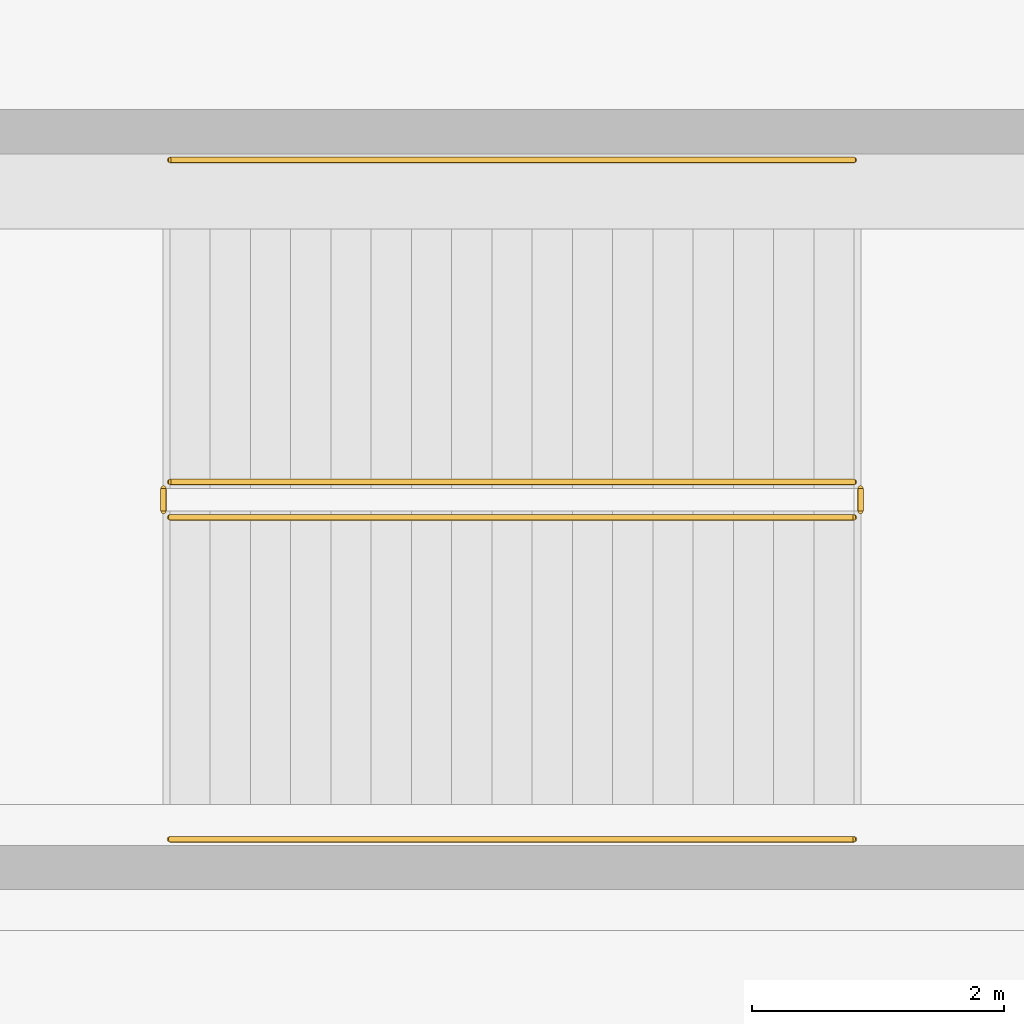
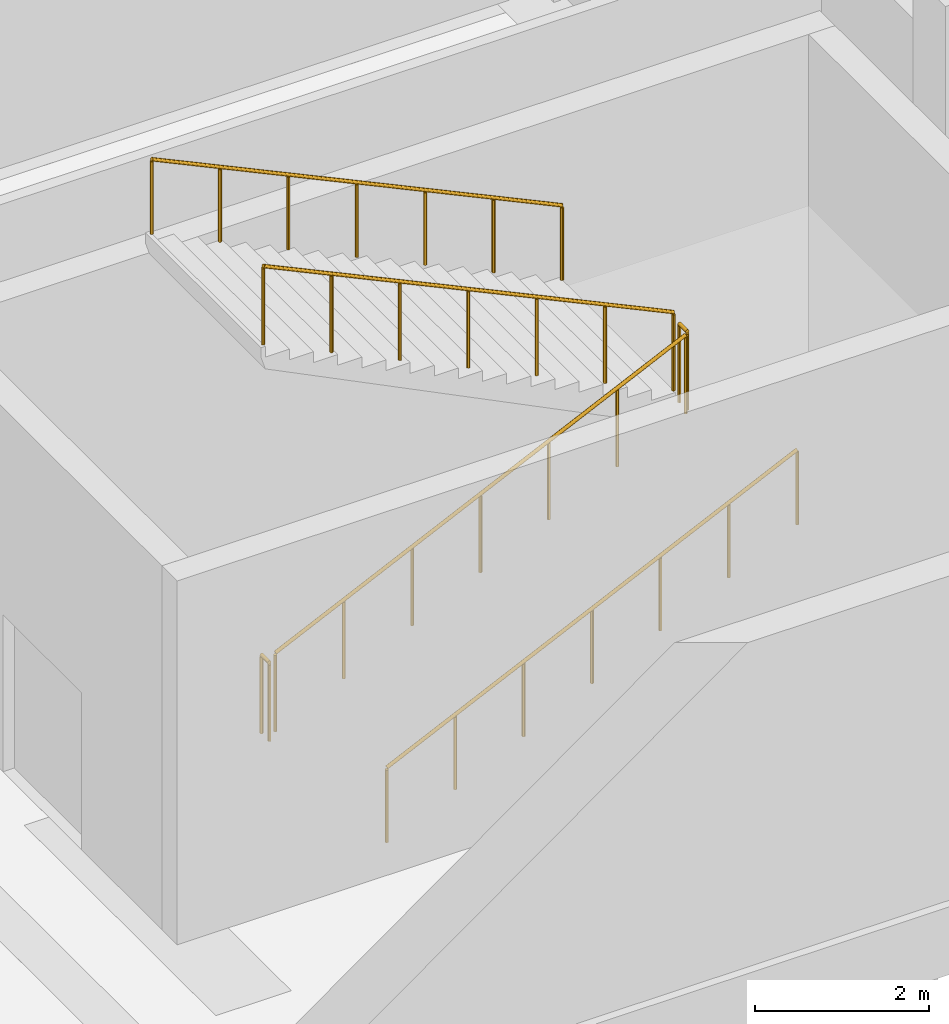
# One storey, part 50 of 58: 6 railings.
"""IFC4 building model written with IfcOpenShell, lengths in metres."""

from ifc_helpers import new_model, si_unit, direction, frame, origin, origin_2d, place, context, subcontext, project, spatial, circle, extrude, material, type_object, element, save


model = new_model("IFC4")

# Units and contexts
model_context = context("Model", 3, precision=1e-05, world=origin(), true_north=direction((0.0, 1.0)))
body_context = subcontext(model_context, "Body", "Model", "MODEL_VIEW")
ifc_project = project(units=[si_unit("LENGTHUNIT", "METRE"), si_unit("AREAUNIT", "SQUARE_METRE"), si_unit("VOLUMEUNIT", "CUBIC_METRE"), si_unit("PLANEANGLEUNIT", "RADIAN"), si_unit("MASSUNIT", "GRAM", prefix="KILO")], contexts=[model_context])

# Site, building, storey
site_placement = place(None, origin())
site = spatial("IfcSite", under=ifc_project, at=site_placement, CompositionType="ELEMENT")
building_placement = place(site_placement, origin())
building = spatial("IfcBuilding", under=site, at=building_placement, Name="Qamarlyn Nura Convention Centre", CompositionType="ELEMENT")
storey_placement = place(building_placement, frame((0.0, 0.0, -5.39990234375)))
storey = spatial("IfcBuildingStorey", under=building, at=storey_placement, Name="B01", CompositionType="ELEMENT", Elevation=-5.39990234375)

# Railings
ifc_material = material(Name="Marine Grade 316 stainless steel", Category="steel")
railing_type_1 = type_object("IfcRailingType", Name="GRD-STAIR-112", PredefinedType="BALUSTRADE", material=ifc_material)
railing_1_placement = place(storey_placement, frame((109.4599609375, 6.409912109375, 0.14990234375)))
element("IfcRailing", 1, at=railing_1_placement, inside=storey, type_object=railing_type_1, Name="B01 ST-08 stair guard 1", PredefinedType="BALUSTRADE", context=body_context, shape_type="SweptSolid", body=[
    extrude(circle(Radius=0.02392578125, at=origin_2d()), frame((0.0, 0.0, 1.09619140625), z_axis=(0.90545405566, 0.0, 0.424444287379), x_axis=(0.0, 1.0, 0.0)), (0.0, 0.0, 1.0), 6.008056640625),
    extrude(circle(Radius=0.02099609375, at=origin_2d()), origin(), (0.0, 0.0, 1.0), 1.070068359375),
    extrude(circle(Radius=0.02099609375, at=origin_2d()), frame((0.90673828125, 0.0, 0.425048828125)), (0.0, 0.0, 1.0), 1.070068359375),
    extrude(circle(Radius=0.02099609375, at=origin_2d()), frame((1.813232421875, 0.0, 0.85009765625)), (0.0, 0.0, 1.0), 1.070068359375),
    extrude(circle(Radius=0.02099609375, at=origin_2d()), frame((2.719970703125, 0.0, 1.27490234375)), (0.0, 0.0, 1.0), 1.070068359375),
    extrude(circle(Radius=0.02099609375, at=origin_2d()), frame((3.626708984375, 0.0, 1.699951171875)), (0.0, 0.0, 1.0), 1.070068359375),
    extrude(circle(Radius=0.02099609375, at=origin_2d()), frame((4.533203125, 0.0, 2.125)), (0.0, 0.0, 1.0), 1.070068359375),
    extrude(circle(Radius=0.02099609375, at=origin_2d()), frame((5.43994140625, 0.0, 2.550048828125)), (0.0, 0.0, 1.0), 1.070068359375),
])
railing_2_placement = place(storey_placement, frame((114.949951171875, 6.4599609375, 2.699951171875)))
element("IfcRailing", 2, at=railing_2_placement, inside=storey, type_object=railing_type_1, Name="B01 ST-08 stair guard 2", PredefinedType="BALUSTRADE", context=body_context, shape_type="SweptSolid", body=[
    extrude(circle(Radius=0.02392578125, at=origin_2d()), frame((0.0, 0.0, 1.09619140625), z_axis=(0.0, 1.0, 0.0), x_axis=(-1.0, 0.0, 0.0)), (0.0, 0.0, 1.0), 0.179931640625),
    extrude(circle(Radius=0.02099609375, at=origin_2d()), origin(), (0.0, 0.0, 1.0), 1.070068359375),
    extrude(circle(Radius=0.02099609375, at=origin_2d()), frame((0.0, 0.179931640625, 0.0)), (0.0, 0.0, 1.0), 1.070068359375),
])
railing_3_placement = place(storey_placement, frame((114.89990234375, 6.68994140625, 2.849853515625)))
element("IfcRailing", 3, at=railing_3_placement, inside=storey, type_object=railing_type_1, Name="B01 ST-08 stair guard 3", PredefinedType="BALUSTRADE", context=body_context, shape_type="SweptSolid", body=[
    extrude(circle(Radius=0.02392578125, at=origin_2d()), frame((0.0, 0.0, 1.09619140625), z_axis=(-0.90545405566, 0.0, 0.424444287379), x_axis=(0.0, -1.0, 0.0)), (0.0, 0.0, 1.0), 6.008056640625),
    extrude(circle(Radius=0.02099609375, at=origin_2d()), origin(), (0.0, 0.0, 1.0), 1.070068359375),
    extrude(circle(Radius=0.02099609375, at=origin_2d()), frame((-0.90673828125, 0.0, 0.425048828125)), (0.0, 0.0, 1.0), 1.070068359375),
    extrude(circle(Radius=0.02099609375, at=origin_2d()), frame((-1.813232421875, 0.0, 0.85009765625)), (0.0, 0.0, 1.0), 1.070068359375),
    extrude(circle(Radius=0.02099609375, at=origin_2d()), frame((-2.719970703125, 0.0, 1.27490234375)), (0.0, 0.0, 1.0), 1.070068359375),
    extrude(circle(Radius=0.02099609375, at=origin_2d()), frame((-3.626708984375, 0.0, 1.699951171875)), (0.0, 0.0, 1.0), 1.070068359375),
    extrude(circle(Radius=0.02099609375, at=origin_2d()), frame((-4.533203125, 0.0, 2.125)), (0.0, 0.0, 1.0), 1.070068359375),
    extrude(circle(Radius=0.02099609375, at=origin_2d()), frame((-5.43994140625, 0.0, 2.550048828125)), (0.0, 0.0, 1.0), 1.070068359375),
])
railing_4_placement = place(storey_placement, frame((109.409912109375, 6.4599609375, 0.0)))
element("IfcRailing", 4, at=railing_4_placement, inside=storey, type_object=railing_type_1, Name="B01 ST-08 stair guard 4", PredefinedType="BALUSTRADE", context=body_context, shape_type="SweptSolid", body=[
    extrude(circle(Radius=0.02392578125, at=origin_2d()), frame((0.0, 0.0, 1.09619140625), z_axis=(0.0, 1.0, 0.0), x_axis=(-1.0, 0.0, 0.0)), (0.0, 0.0, 1.0), 0.179931640625),
    extrude(circle(Radius=0.02099609375, at=origin_2d()), origin(), (0.0, 0.0, 1.0), 1.070068359375),
    extrude(circle(Radius=0.02099609375, at=origin_2d()), frame((0.0, 0.179931640625, 0.0)), (0.0, 0.0, 1.0), 1.070068359375),
])
railing_type_2 = type_object("IfcRailingType", Name="HRL-STAIR-090", PredefinedType="HANDRAIL", material=ifc_material)
railing_5_placement = place(storey_placement, frame((109.4599609375, 3.85009765625, 0.30224609375)))
element("IfcRailing", 5, at=railing_5_placement, inside=storey, type_object=railing_type_2, Name="B01 ST-08 stair handrail 1", PredefinedType="HANDRAIL", context=body_context, shape_type="SweptSolid", body=[
    extrude(circle(Radius=0.02392578125, at=origin_2d()), frame((0.0, 0.0, 0.88818359375), z_axis=(0.90545405566, 0.0, 0.424444287379), x_axis=(0.0, 1.0, 0.0)), (0.0, 0.0, 1.0), 6.008056640625),
    extrude(circle(Radius=0.02099609375, at=origin_2d()), frame((0.0, 0.0, -0.155029296875)), (0.0, 0.0, 1.0), 1.01708984375),
    extrude(circle(Radius=0.02099609375, at=origin_2d()), frame((0.90673828125, 0.0, 0.27001953125)), (0.0, 0.0, 1.0), 1.01708984375),
    extrude(circle(Radius=0.02099609375, at=origin_2d()), frame((1.813232421875, 0.0, 0.695068359375)), (0.0, 0.0, 1.0), 1.01708984375),
    extrude(circle(Radius=0.02099609375, at=origin_2d()), frame((2.719970703125, 0.0, 1.1201171875)), (0.0, 0.0, 1.0), 1.01708984375),
    extrude(circle(Radius=0.02099609375, at=origin_2d()), frame((3.626708984375, 0.0, 1.544921875)), (0.0, 0.0, 1.0), 1.01708984375),
    extrude(circle(Radius=0.02099609375, at=origin_2d()), frame((4.533203125, 0.0, 1.969970703125)), (0.0, 0.0, 1.0), 1.01708984375),
    extrude(circle(Radius=0.02099609375, at=origin_2d()), frame((5.43994140625, 0.0, 2.39501953125)), (0.0, 0.0, 1.0), 1.01708984375),
])
railing_6_placement = place(storey_placement, frame((114.89990234375, 9.25, 3.002197265625)))
element("IfcRailing", 6, at=railing_6_placement, inside=storey, type_object=railing_type_2, Name="B01 ST-08 stair handrail 2", PredefinedType="HANDRAIL", context=body_context, shape_type="SweptSolid", body=[
    extrude(circle(Radius=0.02392578125, at=origin_2d()), frame((0.0, 0.0, 0.88818359375), z_axis=(-0.90545405566, 0.0, 0.424444287379), x_axis=(0.0, -1.0, 0.0)), (0.0, 0.0, 1.0), 6.008056640625),
    extrude(circle(Radius=0.02099609375, at=origin_2d()), frame((0.0, 0.0, -0.155029296875)), (0.0, 0.0, 1.0), 1.01708984375),
    extrude(circle(Radius=0.02099609375, at=origin_2d()), frame((-0.90673828125, 0.0, 0.27001953125)), (0.0, 0.0, 1.0), 1.01708984375),
    extrude(circle(Radius=0.02099609375, at=origin_2d()), frame((-1.813232421875, 0.0, 0.695068359375)), (0.0, 0.0, 1.0), 1.01708984375),
    extrude(circle(Radius=0.02099609375, at=origin_2d()), frame((-2.719970703125, 0.0, 1.1201171875)), (0.0, 0.0, 1.0), 1.01708984375),
    extrude(circle(Radius=0.02099609375, at=origin_2d()), frame((-3.626708984375, 0.0, 1.544921875)), (0.0, 0.0, 1.0), 1.01708984375),
    extrude(circle(Radius=0.02099609375, at=origin_2d()), frame((-4.533203125, 0.0, 1.969970703125)), (0.0, 0.0, 1.0), 1.01708984375),
    extrude(circle(Radius=0.02099609375, at=origin_2d()), frame((-5.43994140625, 0.0, 2.39501953125)), (0.0, 0.0, 1.0), 1.01708984375),
])

save(model, "model.ifc")
